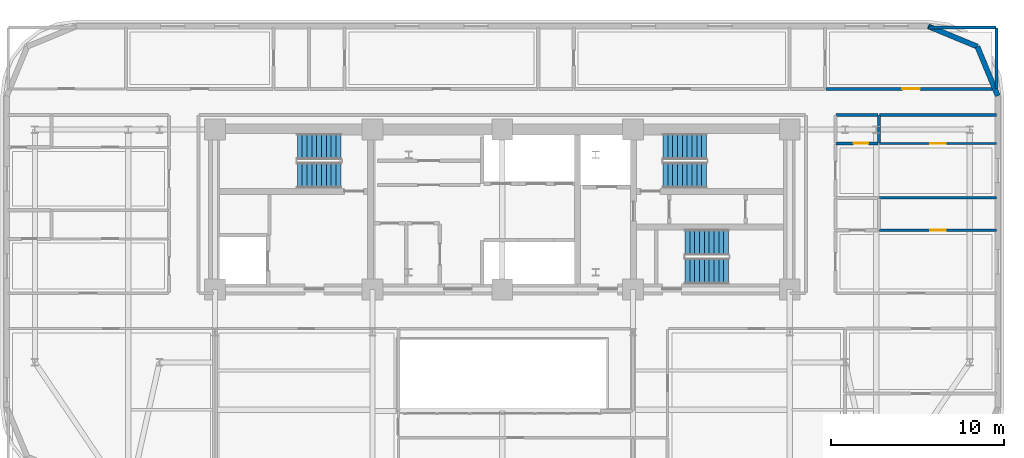
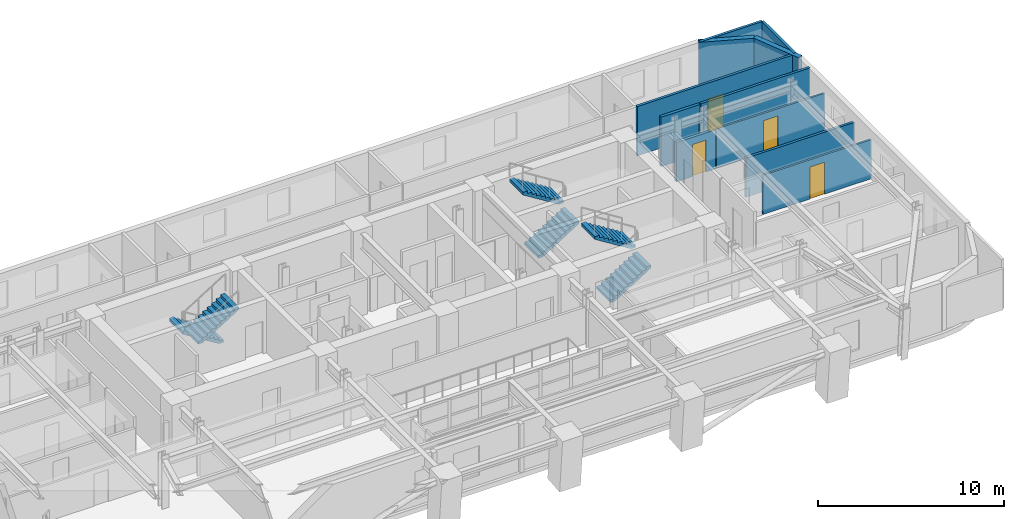
# One storey, part 12 of 15: 12 walls, 6 stair flights, 4 doors, 4 openings, 3 elements without a shape of their own.
"""IFC4 building model written with IfcOpenShell, lengths in metres."""

from ifc_helpers import new_model, si_unit, direction, frame, frame_2d, origin, place, context, subcontext, project, spatial, polyline, rectangle, outline, extrude, material, layer, layer_set, type_object, element, fill, aggregate, save


model = new_model("IFC4")

# Units and contexts
model_context = context("Model", 3, precision=1e-05, world=origin(), true_north=direction((0.0, 1.0)))
body_context = subcontext(model_context, "Body", "Model", "MODEL_VIEW")
ifc_project = project(units=[si_unit("LENGTHUNIT", "METRE"), si_unit("AREAUNIT", "SQUARE_METRE"), si_unit("VOLUMEUNIT", "CUBIC_METRE"), si_unit("PLANEANGLEUNIT", "RADIAN"), si_unit("MASSUNIT", "GRAM", prefix="KILO")], contexts=[model_context])

# Site, building, storey
site_placement = place(None, origin())
site = spatial("IfcSite", under=ifc_project, at=site_placement, CompositionType="ELEMENT")
building_placement = place(site_placement, origin())
building = spatial("IfcBuilding", under=site, at=building_placement, Name="Zarnavel Station Tower", CompositionType="ELEMENT")
storey_placement = place(building_placement, frame((0.0, 0.0, 125.800048828125)))
storey = spatial("IfcBuildingStorey", under=building, at=storey_placement, Name="L34", CompositionType="ELEMENT", Elevation=125.800048828125)

# Walls
ifc_material_1 = material(Name="Precast concrete C45/55 (Dark Basalt Finish)", Category="masonry")
ifc_layer_1 = layer(ifc_material_1, 0.300048828125)
ifc_layer_set_1 = layer_set([ifc_layer_1], Name="EW_BASALT_300")
wall_type_1 = type_object("IfcWallType", Name="EW_BASALT_300", PredefinedType="SOLIDWALL", material=ifc_layer_set_1)
wall_1_placement = place(storey_placement, frame((56.24267578125, 41.842529296875, 0.0), z_axis=(0.0, 0.0, 1.0), x_axis=(0.382636798336, -0.92389884758, 0.0)))
element("IfcWall", 1, at=wall_1_placement, inside=storey, type_object=wall_type_1, Name="L34 Exterior Basalt Masonry Frame Wall 04", PredefinedType="SOLIDWALL", context=body_context, shape_type="SweptSolid", body=[
    extrude(rectangle(XDim=3.07666015625, YDim=0.300048828125, at=frame_2d((1.538330078125, 0.0))), origin(), (0.0, 0.0, 1.0), 3.239990234375),
])
wall_2_placement = place(storey_placement, frame((53.39990234375, 43.02001953125, 0.0), z_axis=(0.0, 0.0, 1.0), x_axis=(0.923882414032, -0.382676475685, 0.0)))
element("IfcWall", 2, at=wall_2_placement, inside=storey, type_object=wall_type_1, Name="L34 Exterior Basalt Masonry Frame Wall 05", PredefinedType="SOLIDWALL", context=body_context, shape_type="SweptSolid", body=[
    extrude(rectangle(XDim=3.076904296875, YDim=0.300048828125, at=frame_2d((1.53857421875, 0.0))), origin(), (0.0, 0.0, 1.0), 3.239990234375),
])
ifc_material_2 = material(Name="Gypsum Twin-Stud Acoustic Fire Partition", Category="concrete")
ifc_layer_2 = layer(ifc_material_2, 0.159912109375)
ifc_layer_set_2 = layer_set([ifc_layer_2], Name="PT_DEMISE_160")
wall_type_2 = type_object("IfcWallType", Name="PT_DEMISE_160", PredefinedType="PARTITIONING", material=ifc_layer_set_2)
wall_3_placement = place(storey_placement, frame((50.590087890625, 37.89990234375, 0.0), z_axis=(0.0, 0.0, 1.0), x_axis=(1.0, 0.0, 0.0)))
element("IfcWall", 3, at=wall_3_placement, inside=storey, type_object=wall_type_2, Name="L34 Partition COR-N-FNE2S", PredefinedType="PARTITIONING", context=body_context, shape_type="SweptSolid", body=[
    extrude(rectangle(XDim=6.75, YDim=0.159912109375, at=frame_2d((3.375, 0.0))), origin(), (0.0, 0.0, 1.0), 3.239990234375),
])

# Wall, opening, door
wall_4_placement = place(storey_placement, frame((47.489990234375, 39.39990234375, 0.0), z_axis=(0.0, 0.0, 1.0), x_axis=(1.0, 0.0, 0.0)))
wall_4 = element("IfcWall", 4, at=wall_4_placement, inside=storey, type_object=wall_type_2, Name="L34 Partition COR-N-HN4R", PredefinedType="PARTITIONING", context=body_context, shape_type="SweptSolid", body=[
    extrude(rectangle(XDim=9.85009765625, YDim=0.159912109375, at=frame_2d((4.925048828125, 0.0))), origin(), (0.0, 0.0, 1.0), 3.239990234375),
])
opening_1_placement = place(wall_4_placement, frame((4.425048828125, 0.0, 0.0)))
opening_1 = element("IfcOpeningElement", 5, at=opening_1_placement, cuts=wall_4, Name="Opening FD02", PredefinedType="OPENING", context=body_context, shape_type="SweptSolid", body=[
    extrude(rectangle(XDim=1.0, YDim=2.14990234375, at=frame_2d((0.5, 1.074951171875))), frame((0.0, 0.08984375, 0.0), z_axis=(0.0, -1.0, 0.0), x_axis=(1.0, 0.0, 0.0)), (0.0, 0.0, 1.0), 0.179931640625),
])
ifc_material_3 = material(Name="Painted Galvanised Steel and Hardwood Leaf", Category="steel")
door_type_1 = type_object("IfcDoorType", Name="ID_ENTRY_1000", OperationType="NOTDEFINED", PredefinedType="DOOR", material=ifc_material_3)
door_1_placement = place(opening_1_placement, origin())
door_1 = element("IfcDoor", 6, at=door_1_placement, inside=storey, type_object=door_type_1, Name="L34 Door COR-N-HN4R", OperationType="SINGLE_SWING_RIGHT", OverallHeight=2.14990234375, OverallWidth=1.0, PredefinedType="DOOR", context=body_context, shape_type="SweptSolid", body=[
    extrude(rectangle(XDim=1.0, YDim=2.14990234375, at=frame_2d((0.5, 1.074951171875))), frame((0.0, 0.02490234375, 0.0), z_axis=(0.0, -1.0, 0.0), x_axis=(1.0, 0.0, 0.0)), (0.0, 0.0, 1.0), 0.050048828125),
])
fill(opening_1, door_1)

# Walls
wall_5_placement = place(storey_placement, frame((50.590087890625, 33.10888671875, 0.0), z_axis=(0.0, 0.0, 1.0), x_axis=(1.0, 0.0, 0.0)))
element("IfcWall", 7, at=wall_5_placement, inside=storey, type_object=wall_type_2, Name="L34 Partition FNE1S-FNE2R", PredefinedType="PARTITIONING", context=body_context, shape_type="SweptSolid", body=[
    extrude(rectangle(XDim=6.75, YDim=0.159912109375, at=frame_2d((3.375, 0.0))), origin(), (0.0, 0.0, 1.0), 2.570068359375),
])
wall_6_placement = place(storey_placement, frame((53.429931640625, 42.93994140625, 0.0), z_axis=(0.0, 0.0, 1.0), x_axis=(1.0, 0.0, 0.0)))
element("IfcWall", 8, at=wall_6_placement, inside=storey, type_object=wall_type_2, Name="L34 Enclosure Wall HN4R", PredefinedType="PARTITIONING", context=body_context, shape_type="SweptSolid", body=[
    extrude(rectangle(XDim=3.880126953125, YDim=0.159912109375, at=frame_2d((1.93994140625, 0.0))), origin(), (0.0, 0.0, 1.0), 3.239990234375),
])
wall_7_placement = place(storey_placement, frame((57.340087890625, 39.429931640625, 0.0), z_axis=(0.0, 0.0, 1.0), x_axis=(0.0, 1.0, 0.0)))
element("IfcWall", 9, at=wall_7_placement, inside=storey, type_object=wall_type_2, Name="L34 Enclosure Wall HN4R", PredefinedType="PARTITIONING", context=body_context, shape_type="SweptSolid", body=[
    extrude(rectangle(XDim=3.47998046875, YDim=0.159912109375, at=frame_2d((1.739990234375, 0.0))), origin(), (0.0, 0.0, 1.0), 3.239990234375),
])

# Wall, opening, door
ifc_material_4 = material(Name="Gypsum Metal-Stud Interior Partition", Category="concrete")
ifc_layer_3 = layer(ifc_material_4, 0.1201171875)
ifc_layer_set_3 = layer_set([ifc_layer_3], Name="PT_ROOM_120")
wall_type_3 = type_object("IfcWallType", Name="PT_ROOM_120", PredefinedType="PARTITIONING", material=ifc_layer_set_3)
wall_8_placement = place(storey_placement, frame((50.590087890625, 31.236083984375, 0.0), z_axis=(0.0, 0.0, 1.0), x_axis=(1.0, 0.0, 0.0)))
wall_8 = element("IfcWall", 10, at=wall_8_placement, inside=storey, type_object=wall_type_3, Name="L34 Partition FNE1R-FNE1S", PredefinedType="PARTITIONING", context=body_context, shape_type="SweptSolid", body=[
    extrude(rectangle(XDim=6.75, YDim=0.1201171875, at=frame_2d((3.375, 0.0))), origin(), (0.0, 0.0, 1.0), 2.570068359375),
])
opening_2_placement = place(wall_8_placement, frame((2.925048828125, 0.0, 0.0)))
opening_2 = element("IfcOpeningElement", 11, at=opening_2_placement, cuts=wall_8, Name="Opening ID01", PredefinedType="OPENING", context=body_context, shape_type="SweptSolid", body=[
    extrude(rectangle(XDim=0.89990234375, YDim=2.10009765625, at=frame_2d((0.449951171875, 1.050048828125))), frame((0.0, 0.070068359375, 0.0), z_axis=(0.0, -1.0, 0.0), x_axis=(1.0, 0.0, 0.0)), (0.0, 0.0, 1.0), 0.14013671875),
])
ifc_material_5 = material(Name="Painted Galvanised Steel and Hardwood Leaf", Category="steel")
door_type_2 = type_object("IfcDoorType", Name="ID_ROOM_900", OperationType="NOTDEFINED", PredefinedType="DOOR", material=ifc_material_5)
door_2_placement = place(opening_2_placement, origin())
door_2 = element("IfcDoor", 12, at=door_2_placement, inside=storey, type_object=door_type_2, Name="L34 Door FNE1R-FNE1S", OperationType="SINGLE_SWING_LEFT", OverallHeight=2.10009765625, OverallWidth=0.89990234375, PredefinedType="DOOR", context=body_context, shape_type="SweptSolid", body=[
    extrude(rectangle(XDim=0.89990234375, YDim=2.10009765625, at=frame_2d((0.449951171875, 1.050048828125))), frame((0.0, 0.02490234375, 0.0), z_axis=(0.0, -1.0, 0.0), x_axis=(1.0, 0.0, 0.0)), (0.0, 0.0, 1.0), 0.050048828125),
])
fill(opening_2, door_2)

wall_9_placement = place(storey_placement, frame((50.590087890625, 36.25, 0.0), z_axis=(0.0, 0.0, 1.0), x_axis=(1.0, 0.0, 0.0)))
wall_9 = element("IfcWall", 13, at=wall_9_placement, inside=storey, type_object=wall_type_3, Name="L34 Partition FNE2R-FNE2S", PredefinedType="PARTITIONING", context=body_context, shape_type="SweptSolid", body=[
    extrude(rectangle(XDim=6.75, YDim=0.1201171875, at=frame_2d((3.375, 0.0))), origin(), (0.0, 0.0, 1.0), 2.570068359375),
])
opening_3_placement = place(wall_9_placement, frame((2.925048828125, 0.0, 0.0)))
opening_3 = element("IfcOpeningElement", 14, at=opening_3_placement, cuts=wall_9, Name="Opening ID01", PredefinedType="OPENING", context=body_context, shape_type="SweptSolid", body=[
    extrude(rectangle(XDim=0.89990234375, YDim=2.10009765625, at=frame_2d((0.449951171875, 1.050048828125))), frame((0.0, 0.070068359375, 0.0), z_axis=(0.0, -1.0, 0.0), x_axis=(1.0, 0.0, 0.0)), (0.0, 0.0, 1.0), 0.14013671875),
])
door_3_placement = place(opening_3_placement, origin())
door_3 = element("IfcDoor", 15, at=door_3_placement, inside=storey, type_object=door_type_2, Name="L34 Door FNE2R-FNE2S", OperationType="SINGLE_SWING_LEFT", OverallHeight=2.10009765625, OverallWidth=0.89990234375, PredefinedType="DOOR", context=body_context, shape_type="SweptSolid", body=[
    extrude(rectangle(XDim=0.89990234375, YDim=2.10009765625, at=frame_2d((0.449951171875, 1.050048828125))), frame((0.0, 0.02490234375, 0.0), z_axis=(0.0, -1.0, 0.0), x_axis=(1.0, 0.0, 0.0)), (0.0, 0.0, 1.0), 0.050048828125),
])
fill(opening_3, door_3)

# Wall
ifc_material_6 = material(Name="Moisture-Resistant Plumbing Chase Wall", Category="concrete")
ifc_layer_4 = layer(ifc_material_6, 0.179931640625)
ifc_layer_set_4 = layer_set([ifc_layer_4], Name="PW_PLUMB_180")
wall_type_4 = type_object("IfcWallType", Name="PW_PLUMB_180", PredefinedType="PLUMBINGWALL", material=ifc_layer_set_4)
wall_10_placement = place(storey_placement, frame((48.090087890625, 37.89990234375, 0.0), z_axis=(0.0, 0.0, 1.0), x_axis=(1.0, 0.0, 0.0)))
element("IfcWall", 16, at=wall_10_placement, inside=storey, type_object=wall_type_4, Name="L34 Partition COR-N-FNE2B", PredefinedType="PLUMBINGWALL", context=body_context, shape_type="SweptSolid", body=[
    extrude(rectangle(XDim=2.419921875, YDim=0.179931640625, at=frame_2d((1.2099609375, 0.0))), origin(), (0.0, 0.0, 1.0), 3.239990234375),
])

# Wall, opening, door
wall_11_placement = place(storey_placement, frame((50.510009765625, 36.25, 0.0), z_axis=(0.0, 0.0, 1.0), x_axis=(-1.0, 0.0, 0.0)))
wall_11 = element("IfcWall", 17, at=wall_11_placement, inside=storey, type_object=wall_type_4, Name="L34 Partition FNE2R-FNE2B", PredefinedType="PLUMBINGWALL", context=body_context, shape_type="SweptSolid", body=[
    extrude(rectangle(XDim=2.419921875, YDim=0.179931640625, at=frame_2d((1.2099609375, 0.0))), origin(), (0.0, 0.0, 1.0), 2.570068359375),
])
opening_4_placement = place(wall_11_placement, frame((0.570068359375, 0.0, 0.0)))
opening_4 = element("IfcOpeningElement", 18, at=opening_4_placement, cuts=wall_11, Name="Opening ID02", PredefinedType="OPENING", context=body_context, shape_type="SweptSolid", body=[
    extrude(rectangle(XDim=0.85009765625, YDim=2.10009765625, at=frame_2d((0.425048828125, 1.050048828125))), frame((0.0, 0.099853515625, 0.0), z_axis=(0.0, -1.0, 0.0), x_axis=(1.0, 0.0, 0.0)), (0.0, 0.0, 1.0), 0.199951171875),
])
ifc_material_7 = material(Name="Painted Galvanised Steel and Hardwood Leaf", Category="steel")
door_type_3 = type_object("IfcDoorType", Name="ID_BATH_850", OperationType="NOTDEFINED", PredefinedType="DOOR", material=ifc_material_7)
door_4_placement = place(opening_4_placement, origin())
door_4 = element("IfcDoor", 19, at=door_4_placement, inside=storey, type_object=door_type_3, Name="L34 Door FNE2R-FNE2B", OperationType="SINGLE_SWING_RIGHT", OverallHeight=2.10009765625, OverallWidth=0.85009765625, PredefinedType="DOOR", context=body_context, shape_type="SweptSolid", body=[
    extrude(rectangle(XDim=0.85009765625, YDim=2.10009765625, at=frame_2d((0.425048828125, 1.050048828125))), frame((0.0, 0.02490234375, 0.0), z_axis=(0.0, -1.0, 0.0), x_axis=(1.0, 0.0, 0.0)), (0.0, 0.0, 1.0), 0.050048828125),
])
fill(opening_4, door_4)

# Wall
wall_12_placement = place(storey_placement, frame((50.550048828125, 36.2900390625, 0.0), z_axis=(0.0, 0.0, 1.0), x_axis=(0.0, 1.0, 0.0)))
element("IfcWall", 20, at=wall_12_placement, inside=storey, type_object=wall_type_4, Name="L34 Partition FNE2B-FNE2S", PredefinedType="PLUMBINGWALL", context=body_context, shape_type="SweptSolid", body=[
    extrude(rectangle(XDim=1.570068359375, YDim=0.179931640625, at=frame_2d((0.78515625, 0.0))), origin(), (0.0, 0.0, 1.0), 2.570068359375),
])

# Stair, stair flights
ifc_material_8 = material(Name="Concrete C45/55", Category="concrete")
stair_type = type_object("IfcStairType", Name="ST_CORE_150", PredefinedType="HALF_TURN_STAIR", material=ifc_material_8)
stair_1_placement = place(storey_placement, origin())
stair_1 = element("IfcStair", 21, at=stair_1_placement, inside=storey, type_object=stair_type, Name="L34 Core Exit Stair ST1", PredefinedType="HALF_TURN_STAIR")
ifc_material_9 = material(Name="Concrete C45/55", Category="concrete")
ifc_layer_5 = layer(ifc_material_9, 0.179931640625)
ifc_layer_set_5 = layer_set([ifc_layer_5], Name="ST_CORE_150_FLT")
stair_flight_type = type_object("IfcStairFlightType", Name="ST_CORE_150_FLT", PredefinedType="STRAIGHT", material=ifc_layer_set_5)
stair_flight_1_placement = place(storey_placement, frame((19.47998046875, 36.070068359375, 0.0), z_axis=(0.0, 0.0, 1.0), x_axis=(-1.0, 0.0, 0.0)))
stair_flight_1 = element("IfcStairFlight", 22, at=stair_flight_1_placement, type_object=stair_flight_type, Name="ST1 flight 1", NumberOfRisers=10, NumberOfTreads=9, PredefinedType="STRAIGHT", RiserHeight=0.175, TreadLength=0.28, context=body_context, shape_type="SweptSolid", body=[
    extrude(outline(polyline([(0.0, 0.0), (0.0, 0.175048828125), (0.280029296875, 0.175048828125), (0.280029296875, 0.35009765625), (0.56005859375, 0.35009765625), (0.56005859375, 0.52490234375), (0.840087890625, 0.52490234375), (0.840087890625, 0.699951171875), (1.1201171875, 0.699951171875), (1.1201171875, 0.875), (1.39990234375, 0.875), (1.39990234375, 1.050048828125), (1.679931640625, 1.050048828125), (1.679931640625, 1.22509765625), (1.9599609375, 1.22509765625), (1.9599609375, 1.39990234375), (2.239990234375, 1.39990234375), (2.239990234375, 1.574951171875), (2.52001953125, 1.574951171875), (2.52001953125, 1.75), (2.52001953125, 1.398193359375), (0.28271484375, 0.0), (0.0, 0.0)])), frame((0.0, 0.75, 0.0), z_axis=(0.0, -1.0, 0.0), x_axis=(1.0, 0.0, 0.0)), (0.0, 0.0, 1.0), 1.5),
])
stair_flight_2_placement = place(storey_placement, frame((16.9599609375, 34.409912109375, 1.75), z_axis=(0.0, 0.0, 1.0), x_axis=(1.0, 0.0, 0.0)))
stair_flight_2 = element("IfcStairFlight", 23, at=stair_flight_2_placement, type_object=stair_flight_type, Name="ST1 flight 2", NumberOfRisers=10, NumberOfTreads=9, PredefinedType="STRAIGHT", RiserHeight=0.175, TreadLength=0.28, context=body_context, shape_type="SweptSolid", body=[
    extrude(outline(polyline([(0.0, 0.0), (0.0, 0.175048828125), (0.280029296875, 0.175048828125), (0.280029296875, 0.35009765625), (0.56005859375, 0.35009765625), (0.56005859375, 0.52490234375), (0.840087890625, 0.52490234375), (0.840087890625, 0.699951171875), (1.1201171875, 0.699951171875), (1.1201171875, 0.875), (1.39990234375, 0.875), (1.39990234375, 1.050048828125), (1.679931640625, 1.050048828125), (1.679931640625, 1.22509765625), (1.9599609375, 1.22509765625), (1.9599609375, 1.39990234375), (2.239990234375, 1.39990234375), (2.239990234375, 1.574951171875), (2.52001953125, 1.574951171875), (2.52001953125, 1.75), (2.52001953125, 1.398193359375), (0.28271484375, 0.0), (0.0, 0.0)])), frame((0.0, 0.75, 0.0), z_axis=(0.0, -1.0, 0.0), x_axis=(1.0, 0.0, 0.0)), (0.0, 0.0, 1.0), 1.5),
])
aggregate(stair_1, [stair_flight_1, stair_flight_2])

stair_2_placement = place(storey_placement, origin())
stair_2 = element("IfcStair", 24, at=stair_2_placement, inside=storey, type_object=stair_type, Name="L34 Core Exit Stair ST2", PredefinedType="HALF_TURN_STAIR")
stair_flight_3_placement = place(storey_placement, frame((38.080078125, 34.409912109375, 0.0), z_axis=(0.0, 0.0, 1.0), x_axis=(1.0, 0.0, 0.0)))
stair_flight_3 = element("IfcStairFlight", 25, at=stair_flight_3_placement, type_object=stair_flight_type, Name="ST2 flight 1", NumberOfRisers=10, NumberOfTreads=9, PredefinedType="STRAIGHT", RiserHeight=0.175, TreadLength=0.28, context=body_context, shape_type="SweptSolid", body=[
    extrude(outline(polyline([(0.0, 0.0), (0.0, 0.175048828125), (0.280029296875, 0.175048828125), (0.280029296875, 0.35009765625), (0.56005859375, 0.35009765625), (0.56005859375, 0.52490234375), (0.840087890625, 0.52490234375), (0.840087890625, 0.699951171875), (1.1201171875, 0.699951171875), (1.1201171875, 0.875), (1.39990234375, 0.875), (1.39990234375, 1.050048828125), (1.679931640625, 1.050048828125), (1.679931640625, 1.22509765625), (1.9599609375, 1.22509765625), (1.9599609375, 1.39990234375), (2.239990234375, 1.39990234375), (2.239990234375, 1.574951171875), (2.52001953125, 1.574951171875), (2.52001953125, 1.75), (2.52001953125, 1.398193359375), (0.28271484375, 0.0), (0.0, 0.0)])), frame((0.0, 0.75, 0.0), z_axis=(0.0, -1.0, 0.0), x_axis=(1.0, 0.0, 0.0)), (0.0, 0.0, 1.0), 1.5),
])
stair_flight_4_placement = place(storey_placement, frame((40.60009765625, 36.070068359375, 1.75), z_axis=(0.0, 0.0, 1.0), x_axis=(-1.0, 0.0, 0.0)))
stair_flight_4 = element("IfcStairFlight", 26, at=stair_flight_4_placement, type_object=stair_flight_type, Name="ST2 flight 2", NumberOfRisers=10, NumberOfTreads=9, PredefinedType="STRAIGHT", RiserHeight=0.175, TreadLength=0.28, context=body_context, shape_type="SweptSolid", body=[
    extrude(outline(polyline([(0.0, 0.0), (0.0, 0.175048828125), (0.280029296875, 0.175048828125), (0.280029296875, 0.35009765625), (0.56005859375, 0.35009765625), (0.56005859375, 0.52490234375), (0.840087890625, 0.52490234375), (0.840087890625, 0.699951171875), (1.1201171875, 0.699951171875), (1.1201171875, 0.875), (1.39990234375, 0.875), (1.39990234375, 1.050048828125), (1.679931640625, 1.050048828125), (1.679931640625, 1.22509765625), (1.9599609375, 1.22509765625), (1.9599609375, 1.39990234375), (2.239990234375, 1.39990234375), (2.239990234375, 1.574951171875), (2.52001953125, 1.574951171875), (2.52001953125, 1.75), (2.52001953125, 1.398193359375), (0.28271484375, 0.0), (0.0, 0.0)])), frame((0.0, 0.75, 0.0), z_axis=(0.0, -1.0, 0.0), x_axis=(1.0, 0.0, 0.0)), (0.0, 0.0, 1.0), 1.5),
])
aggregate(stair_2, [stair_flight_3, stair_flight_4])

stair_3_placement = place(storey_placement, origin())
stair_3 = element("IfcStair", 27, at=stair_3_placement, inside=storey, type_object=stair_type, Name="L34 Core Exit Stair ST3", PredefinedType="HALF_TURN_STAIR")
stair_flight_5_placement = place(storey_placement, frame((39.35009765625, 28.8701171875, 0.0), z_axis=(0.0, 0.0, 1.0), x_axis=(1.0, 0.0, 0.0)))
stair_flight_5 = element("IfcStairFlight", 28, at=stair_flight_5_placement, type_object=stair_flight_type, Name="ST3 flight 1", NumberOfRisers=10, NumberOfTreads=9, PredefinedType="STRAIGHT", RiserHeight=0.175, TreadLength=0.28, context=body_context, shape_type="SweptSolid", body=[
    extrude(outline(polyline([(0.0, 0.0), (0.0, 0.175048828125), (0.280029296875, 0.175048828125), (0.280029296875, 0.35009765625), (0.56005859375, 0.35009765625), (0.56005859375, 0.52490234375), (0.840087890625, 0.52490234375), (0.840087890625, 0.699951171875), (1.1201171875, 0.699951171875), (1.1201171875, 0.875), (1.39990234375, 0.875), (1.39990234375, 1.050048828125), (1.679931640625, 1.050048828125), (1.679931640625, 1.22509765625), (1.9599609375, 1.22509765625), (1.9599609375, 1.39990234375), (2.239990234375, 1.39990234375), (2.239990234375, 1.574951171875), (2.52001953125, 1.574951171875), (2.52001953125, 1.75), (2.52001953125, 1.398193359375), (0.28271484375, 0.0), (0.0, 0.0)])), frame((0.0, 0.75, 0.0), z_axis=(0.0, -1.0, 0.0), x_axis=(1.0, 0.0, 0.0)), (0.0, 0.0, 1.0), 1.5),
])
stair_flight_6_placement = place(storey_placement, frame((41.8701171875, 30.530029296875, 1.75), z_axis=(0.0, 0.0, 1.0), x_axis=(-1.0, 0.0, 0.0)))
stair_flight_6 = element("IfcStairFlight", 29, at=stair_flight_6_placement, type_object=stair_flight_type, Name="ST3 flight 2", NumberOfRisers=10, NumberOfTreads=9, PredefinedType="STRAIGHT", RiserHeight=0.175, TreadLength=0.28, context=body_context, shape_type="SweptSolid", body=[
    extrude(outline(polyline([(0.0, 0.0), (0.0, 0.175048828125), (0.280029296875, 0.175048828125), (0.280029296875, 0.35009765625), (0.56005859375, 0.35009765625), (0.56005859375, 0.52490234375), (0.840087890625, 0.52490234375), (0.840087890625, 0.699951171875), (1.1201171875, 0.699951171875), (1.1201171875, 0.875), (1.39990234375, 0.875), (1.39990234375, 1.050048828125), (1.679931640625, 1.050048828125), (1.679931640625, 1.22509765625), (1.9599609375, 1.22509765625), (1.9599609375, 1.39990234375), (2.239990234375, 1.39990234375), (2.239990234375, 1.574951171875), (2.52001953125, 1.574951171875), (2.52001953125, 1.75), (2.52001953125, 1.398193359375), (0.28271484375, 0.0), (0.0, 0.0)])), frame((0.0, 0.75, 0.0), z_axis=(0.0, -1.0, 0.0), x_axis=(1.0, 0.0, 0.0)), (0.0, 0.0, 1.0), 1.5),
])
aggregate(stair_3, [stair_flight_5, stair_flight_6])

save(model, "model.ifc")
